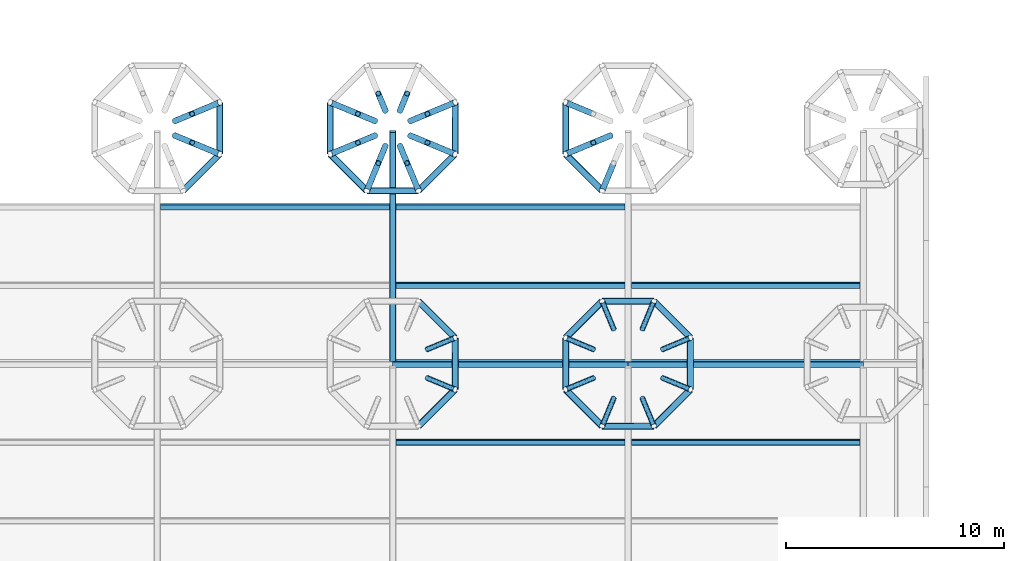
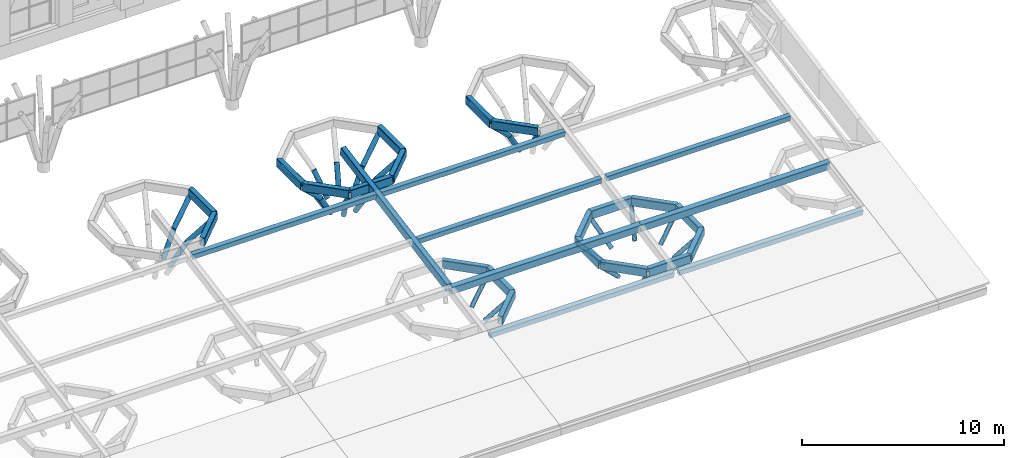
# One storey, part 5 of 42: 32 members, 29 beams.
"""IFC4 building model written with IfcOpenShell, lengths in metres."""

from ifc_helpers import new_model, si_unit, direction, frame, origin, origin_2d, place, context, subcontext, project, spatial, hollow_rectangle, hollow_circle, extrude, clip, halfspace, material, material_profile, profile_set, type_object, element, save


model = new_model("IFC4")

# Units and contexts
model_context = context("Model", 3, precision=1e-05, world=origin(), true_north=direction((0.0, 1.0)))
body_context = subcontext(model_context, "Body", "Model", "MODEL_VIEW")
ifc_project = project(units=[si_unit("LENGTHUNIT", "METRE"), si_unit("AREAUNIT", "SQUARE_METRE"), si_unit("VOLUMEUNIT", "CUBIC_METRE"), si_unit("PLANEANGLEUNIT", "RADIAN"), si_unit("MASSUNIT", "GRAM", prefix="KILO")], contexts=[model_context])

# Site, building, storey
site_placement = place(None, origin())
site = spatial("IfcSite", under=ifc_project, at=site_placement, CompositionType="ELEMENT")
building_placement = place(site_placement, origin())
building = spatial("IfcBuilding", under=site, at=building_placement, Name="Magnolia Steps Interchange", CompositionType="ELEMENT")
storey_placement = place(building_placement, frame((0.0, 0.0, 12.60009765625)))
storey = spatial("IfcBuildingStorey", under=building, at=storey_placement, Name="L03", CompositionType="ELEMENT", Elevation=12.60009765625)

# Beams
ifc_material_1 = material(Name="Steel Q355B", Category="steel")
ifc_material_profile_1 = material_profile(ifc_material_1, hollow_rectangle(XDim=0.300048828125, YDim=0.5, WallThickness=0.01611328125, InnerFilletRadius=0.01611328125, OuterFilletRadius=0.031982421875, at=origin_2d()), Name="RHS500x300x16")
ifc_profile_set_1 = profile_set([ifc_material_profile_1], Name="Steel Q355B")
beam_type_1 = type_object("IfcBeamType", Name="Ring beam RHS500x300x16", PredefinedType="BEAM", material=ifc_profile_set_1)
beam_1_placement = place(storey_placement, frame((86.786376953125, 71.93603515625, 3.4755859375), z_axis=(0.707106781187, 0.707106781187, 0.0), x_axis=(-0.707106781187, 0.707106781187, 0.0)))
element("IfcBeam", 1, at=beam_1_placement, inside=storey, type_object=beam_type_1, Name="Ring beam TH04D", PredefinedType="BEAM", context=body_context, shape_type="Clipping", body=[
    clip(clip(extrude(hollow_rectangle(XDim=0.300048828125, YDim=0.5, WallThickness=0.01611328125, InnerFilletRadius=0.01611328125, OuterFilletRadius=0.031982421875, at=origin_2d()), origin(), (0.0, 0.0, 1.0), 2.37255859375), halfspace(frame((0.0, 0.0, 0.0), z_axis=(0.382683433, 0.0, -0.923879532), x_axis=(0.923879532, 0.0, 0.382683433)), False)), halfspace(frame((0.0, 0.0, 2.372674707), z_axis=(0.382683433, 0.0, 0.923879532), x_axis=(0.923879532, 0.0, -0.382683433)), False)),
])
beam_2_placement = place(storey_placement, frame((88.464111328125, 73.61376953125, 3.4755859375), z_axis=(0.0, 1.0, 0.0), x_axis=(-1.0, 0.0, 0.0)))
element("IfcBeam", 2, at=beam_2_placement, inside=storey, type_object=beam_type_1, Name="Ring beam TH04D", PredefinedType="BEAM", context=body_context, shape_type="Clipping", body=[
    clip(clip(extrude(hollow_rectangle(XDim=0.300048828125, YDim=0.5, WallThickness=0.01611328125, InnerFilletRadius=0.01611328125, OuterFilletRadius=0.031982421875, at=origin_2d()), origin(), (0.0, 0.0, 1.0), 2.37255859375), halfspace(frame((0.0, 0.0, 0.0), z_axis=(0.382683432, 0.0, -0.923879533), x_axis=(0.923879533, 0.0, 0.382683432)), False)), halfspace(frame((0.0, 0.0, 2.372558594), z_axis=(0.382683432, 0.0, 0.923879533), x_axis=(0.923879533, 0.0, -0.382683432)), False)),
])
for number, where, z_axis, x_axis, name in (
    (3, (99.263916015625, 65.186279296875, 1.5), (-0.707106781187, 0.707106781187, 0.0), (-0.707106781187, -0.707106781187, 0.0), "Ring beam TH05C"),
    (4, (97.586181640625, 61.135986328125, 1.5), (0.707106781187, 0.707106781187, 0.0), (-0.707106781187, 0.707106781187, 0.0), "Ring beam TH05C"),
):
    element("IfcBeam", number, at=place(storey_placement, frame(where, z_axis=z_axis, x_axis=x_axis)), inside=storey, type_object=beam_type_1, Name=name, PredefinedType="BEAM", context=body_context, shape_type="Clipping", body=[
        clip(clip(extrude(hollow_rectangle(XDim=0.300048828125, YDim=0.5, WallThickness=0.01611328125, InnerFilletRadius=0.01611328125, OuterFilletRadius=0.031982421875, at=origin_2d()), origin(), (0.0, 0.0, 1.0), 2.37255859375), halfspace(frame((0.0, 0.0, 0.0), z_axis=(0.382683433, 0.0, -0.923879532), x_axis=(0.923879532, 0.0, 0.382683433)), False)), halfspace(frame((0.0, 0.0, 2.372674707), z_axis=(0.382683433, 0.0, 0.923879532), x_axis=(0.923879532, 0.0, -0.382683433)), False)),
    ])
for number, where, z_axis, x_axis, name in (
    (5, (99.263916015625, 62.813720703125, 1.5), (0.0, 1.0, 0.0), (-1.0, 0.0, 0.0), "Ring beam TH05C"),
    (6, (93.535888671875, 75.986328125, 3.4755859375), (0.0, -1.0, 0.0), (1.0, 0.0, 0.0), "Ring beam TH05D"),
):
    element("IfcBeam", number, at=place(storey_placement, frame(where, z_axis=z_axis, x_axis=x_axis)), inside=storey, type_object=beam_type_1, Name=name, PredefinedType="BEAM", context=body_context, shape_type="Clipping", body=[
        clip(clip(extrude(hollow_rectangle(XDim=0.300048828125, YDim=0.5, WallThickness=0.01611328125, InnerFilletRadius=0.01611328125, OuterFilletRadius=0.031982421875, at=origin_2d()), origin(), (0.0, 0.0, 1.0), 2.37255859375), halfspace(frame((0.0, 0.0, 0.0), z_axis=(0.382683432, 0.0, -0.923879533), x_axis=(0.923879533, 0.0, 0.382683432)), False)), halfspace(frame((0.0, 0.0, 2.372558594), z_axis=(0.382683432, 0.0, 0.923879533), x_axis=(0.923879533, 0.0, -0.382683432)), False)),
    ])
beam_3_placement = place(storey_placement, frame((93.535888671875, 73.61376953125, 3.4755859375), z_axis=(0.707106781187, -0.707106781187, 0.0), x_axis=(0.707106781187, 0.707106781187, 0.0)))
element("IfcBeam", 7, at=beam_3_placement, inside=storey, type_object=beam_type_1, Name="Ring beam TH05D", PredefinedType="BEAM", context=body_context, shape_type="Clipping", body=[
    clip(clip(extrude(hollow_rectangle(XDim=0.300048828125, YDim=0.5, WallThickness=0.01611328125, InnerFilletRadius=0.01611328125, OuterFilletRadius=0.031982421875, at=origin_2d()), origin(), (0.0, 0.0, 1.0), 2.37255859375), halfspace(frame((0.0, 0.0, 0.0), z_axis=(0.382683433, 0.0, -0.923879532), x_axis=(0.923879532, 0.0, 0.382683433)), False)), halfspace(frame((0.0, 0.0, 2.372674707), z_axis=(0.382683433, 0.0, 0.923879532), x_axis=(0.923879532, 0.0, -0.382683433)), False)),
])
beam_4_placement = place(storey_placement, frame((95.213623046875, 71.93603515625, 3.4755859375), z_axis=(1.0, 0.0, 0.0), x_axis=(0.0, 1.0, 0.0)))
element("IfcBeam", 8, at=beam_4_placement, inside=storey, type_object=beam_type_1, Name="Ring beam TH05D", PredefinedType="BEAM", context=body_context, shape_type="Clipping", body=[
    clip(clip(extrude(hollow_rectangle(XDim=0.300048828125, YDim=0.5, WallThickness=0.01611328125, InnerFilletRadius=0.01611328125, OuterFilletRadius=0.031982421875, at=origin_2d()), origin(), (0.0, 0.0, 1.0), 2.37255859375), halfspace(frame((0.0, 0.0, 0.0), z_axis=(0.382683432, 0.0, -0.923879533), x_axis=(0.923879533, 0.0, 0.382683432)), False)), halfspace(frame((0.0, 0.0, 2.372558594), z_axis=(0.382683432, 0.0, 0.923879533), x_axis=(0.923879533, 0.0, -0.382683432)), False)),
])
beam_5_placement = place(storey_placement, frame((97.586181640625, 71.93603515625, 3.4755859375), z_axis=(0.707106781187, 0.707106781187, 0.0), x_axis=(-0.707106781187, 0.707106781187, 0.0)))
element("IfcBeam", 9, at=beam_5_placement, inside=storey, type_object=beam_type_1, Name="Ring beam TH05D", PredefinedType="BEAM", context=body_context, shape_type="Clipping", body=[
    clip(clip(extrude(hollow_rectangle(XDim=0.300048828125, YDim=0.5, WallThickness=0.01611328125, InnerFilletRadius=0.01611328125, OuterFilletRadius=0.031982421875, at=origin_2d()), origin(), (0.0, 0.0, 1.0), 2.37255859375), halfspace(frame((0.0, 0.0, 0.0), z_axis=(0.382683433, 0.0, -0.923879532), x_axis=(0.923879532, 0.0, 0.382683433)), False)), halfspace(frame((0.0, 0.0, 2.372674707), z_axis=(0.382683433, 0.0, 0.923879532), x_axis=(0.923879532, 0.0, -0.382683433)), False)),
])
beam_6_placement = place(storey_placement, frame((99.263916015625, 73.61376953125, 3.4755859375), z_axis=(0.0, 1.0, 0.0), x_axis=(-1.0, 0.0, 0.0)))
element("IfcBeam", 10, at=beam_6_placement, inside=storey, type_object=beam_type_1, Name="Ring beam TH05D", PredefinedType="BEAM", context=body_context, shape_type="Clipping", body=[
    clip(clip(extrude(hollow_rectangle(XDim=0.300048828125, YDim=0.5, WallThickness=0.01611328125, InnerFilletRadius=0.01611328125, OuterFilletRadius=0.031982421875, at=origin_2d()), origin(), (0.0, 0.0, 1.0), 2.37255859375), halfspace(frame((0.0, 0.0, 0.0), z_axis=(0.382683432, 0.0, -0.923879533), x_axis=(0.923879533, 0.0, 0.382683432)), False)), halfspace(frame((0.0, 0.0, 2.372558594), z_axis=(0.382683432, 0.0, 0.923879533), x_axis=(0.923879533, 0.0, -0.382683432)), False)),
])
beam_7_placement = place(storey_placement, frame((110.06396484375, 65.186279296875, 1.5), z_axis=(-0.707106781187, 0.707106781187, 0.0), x_axis=(-0.707106781187, -0.707106781187, 0.0)))
element("IfcBeam", 11, at=beam_7_placement, inside=storey, type_object=beam_type_1, Name="Ring beam TH06C", PredefinedType="BEAM", context=body_context, shape_type="Clipping", body=[
    clip(clip(extrude(hollow_rectangle(XDim=0.300048828125, YDim=0.5, WallThickness=0.01611328125, InnerFilletRadius=0.01611328125, OuterFilletRadius=0.031982421875, at=origin_2d()), origin(), (0.0, 0.0, 1.0), 2.37255859375), halfspace(frame((0.0, 0.0, 0.0), z_axis=(0.382683433, 0.0, -0.923879532), x_axis=(0.923879532, 0.0, 0.382683433)), False)), halfspace(frame((0.0, 0.0, 2.372674707), z_axis=(0.382683433, 0.0, 0.923879532), x_axis=(0.923879532, 0.0, -0.382683433)), False)),
])
beam_8_placement = place(storey_placement, frame((108.38623046875, 66.864013671875, 1.5), z_axis=(-1.0, 0.0, 0.0), x_axis=(0.0, -1.0, 0.0)))
element("IfcBeam", 12, at=beam_8_placement, inside=storey, type_object=beam_type_1, Name="Ring beam TH06C", PredefinedType="BEAM", context=body_context, shape_type="Clipping", body=[
    clip(clip(extrude(hollow_rectangle(XDim=0.300048828125, YDim=0.5, WallThickness=0.01611328125, InnerFilletRadius=0.01611328125, OuterFilletRadius=0.031982421875, at=origin_2d()), origin(), (0.0, 0.0, 1.0), 2.37255859375), halfspace(frame((0.0, 0.0, 0.0), z_axis=(0.382683432, 0.0, -0.923879533), x_axis=(0.923879533, 0.0, 0.382683432)), False)), halfspace(frame((0.0, 0.0, 2.372558594), z_axis=(0.382683432, 0.0, 0.923879533), x_axis=(0.923879533, 0.0, -0.382683432)), False)),
])
beam_9_placement = place(storey_placement, frame((106.013671875, 66.864013671875, 1.5), z_axis=(-0.707106781187, -0.707106781187, 0.0), x_axis=(0.707106781187, -0.707106781187, 0.0)))
element("IfcBeam", 13, at=beam_9_placement, inside=storey, type_object=beam_type_1, Name="Ring beam TH06C", PredefinedType="BEAM", context=body_context, shape_type="Clipping", body=[
    clip(clip(extrude(hollow_rectangle(XDim=0.300048828125, YDim=0.5, WallThickness=0.01611328125, InnerFilletRadius=0.01611328125, OuterFilletRadius=0.031982421875, at=origin_2d()), origin(), (0.0, 0.0, 1.0), 2.37255859375), halfspace(frame((0.0, 0.0, 0.0), z_axis=(0.382683433, 0.0, -0.923879532), x_axis=(0.923879532, 0.0, 0.382683433)), False)), halfspace(frame((0.0, 0.0, 2.372674707), z_axis=(0.382683433, 0.0, 0.923879532), x_axis=(0.923879532, 0.0, -0.382683433)), False)),
])
beam_10_placement = place(storey_placement, frame((104.3359375, 65.186279296875, 1.5), z_axis=(0.0, -1.0, 0.0), x_axis=(1.0, 0.0, 0.0)))
element("IfcBeam", 14, at=beam_10_placement, inside=storey, type_object=beam_type_1, Name="Ring beam TH06C", PredefinedType="BEAM", context=body_context, shape_type="Clipping", body=[
    clip(clip(extrude(hollow_rectangle(XDim=0.300048828125, YDim=0.5, WallThickness=0.01611328125, InnerFilletRadius=0.01611328125, OuterFilletRadius=0.031982421875, at=origin_2d()), origin(), (0.0, 0.0, 1.0), 2.37255859375), halfspace(frame((0.0, 0.0, 0.0), z_axis=(0.382683432, 0.0, -0.923879533), x_axis=(0.923879533, 0.0, 0.382683432)), False)), halfspace(frame((0.0, 0.0, 2.372558594), z_axis=(0.382683432, 0.0, 0.923879533), x_axis=(0.923879533, 0.0, -0.382683432)), False)),
])
beam_11_placement = place(storey_placement, frame((104.3359375, 62.813720703125, 1.5), z_axis=(0.707106781187, -0.707106781187, 0.0), x_axis=(0.707106781187, 0.707106781187, 0.0)))
element("IfcBeam", 15, at=beam_11_placement, inside=storey, type_object=beam_type_1, Name="Ring beam TH06C", PredefinedType="BEAM", context=body_context, shape_type="Clipping", body=[
    clip(clip(extrude(hollow_rectangle(XDim=0.300048828125, YDim=0.5, WallThickness=0.01611328125, InnerFilletRadius=0.01611328125, OuterFilletRadius=0.031982421875, at=origin_2d()), origin(), (0.0, 0.0, 1.0), 2.37255859375), halfspace(frame((0.0, 0.0, 0.0), z_axis=(0.382683433, 0.0, -0.923879532), x_axis=(0.923879532, 0.0, 0.382683433)), False)), halfspace(frame((0.0, 0.0, 2.372674707), z_axis=(0.382683433, 0.0, 0.923879532), x_axis=(0.923879532, 0.0, -0.382683433)), False)),
])
beam_12_placement = place(storey_placement, frame((106.013671875, 61.135986328125, 1.5), z_axis=(1.0, 0.0, 0.0), x_axis=(0.0, 1.0, 0.0)))
element("IfcBeam", 16, at=beam_12_placement, inside=storey, type_object=beam_type_1, Name="Ring beam TH06C", PredefinedType="BEAM", context=body_context, shape_type="Clipping", body=[
    clip(clip(extrude(hollow_rectangle(XDim=0.300048828125, YDim=0.5, WallThickness=0.01611328125, InnerFilletRadius=0.01611328125, OuterFilletRadius=0.031982421875, at=origin_2d()), origin(), (0.0, 0.0, 1.0), 2.37255859375), halfspace(frame((0.0, 0.0, 0.0), z_axis=(0.382683432, 0.0, -0.923879533), x_axis=(0.923879533, 0.0, 0.382683432)), False)), halfspace(frame((0.0, 0.0, 2.372558594), z_axis=(0.382683432, 0.0, 0.923879533), x_axis=(0.923879533, 0.0, -0.382683432)), False)),
])
beam_13_placement = place(storey_placement, frame((108.38623046875, 61.135986328125, 1.5), z_axis=(0.707106781187, 0.707106781187, 0.0), x_axis=(-0.707106781187, 0.707106781187, 0.0)))
element("IfcBeam", 17, at=beam_13_placement, inside=storey, type_object=beam_type_1, Name="Ring beam TH06C", PredefinedType="BEAM", context=body_context, shape_type="Clipping", body=[
    clip(clip(extrude(hollow_rectangle(XDim=0.300048828125, YDim=0.5, WallThickness=0.01611328125, InnerFilletRadius=0.01611328125, OuterFilletRadius=0.031982421875, at=origin_2d()), origin(), (0.0, 0.0, 1.0), 2.37255859375), halfspace(frame((0.0, 0.0, 0.0), z_axis=(0.382683433, 0.0, -0.923879532), x_axis=(0.923879532, 0.0, 0.382683433)), False)), halfspace(frame((0.0, 0.0, 2.372674707), z_axis=(0.382683433, 0.0, 0.923879532), x_axis=(0.923879532, 0.0, -0.382683433)), False)),
])
for number, where, z_axis, x_axis, name in (
    (18, (110.06396484375, 62.813720703125, 1.5), (0.0, 1.0, 0.0), (-1.0, 0.0, 0.0), "Ring beam TH06C"),
    (19, (104.3359375, 75.986328125, 3.4755859375), (0.0, -1.0, 0.0), (1.0, 0.0, 0.0), "Ring beam TH06D"),
):
    element("IfcBeam", number, at=place(storey_placement, frame(where, z_axis=z_axis, x_axis=x_axis)), inside=storey, type_object=beam_type_1, Name=name, PredefinedType="BEAM", context=body_context, shape_type="Clipping", body=[
        clip(clip(extrude(hollow_rectangle(XDim=0.300048828125, YDim=0.5, WallThickness=0.01611328125, InnerFilletRadius=0.01611328125, OuterFilletRadius=0.031982421875, at=origin_2d()), origin(), (0.0, 0.0, 1.0), 2.37255859375), halfspace(frame((0.0, 0.0, 0.0), z_axis=(0.382683432, 0.0, -0.923879533), x_axis=(0.923879533, 0.0, 0.382683432)), False)), halfspace(frame((0.0, 0.0, 2.372558594), z_axis=(0.382683432, 0.0, 0.923879533), x_axis=(0.923879533, 0.0, -0.382683432)), False)),
    ])
beam_14_placement = place(storey_placement, frame((104.3359375, 73.61376953125, 3.4755859375), z_axis=(0.707106781187, -0.707106781187, 0.0), x_axis=(0.707106781187, 0.707106781187, 0.0)))
element("IfcBeam", 20, at=beam_14_placement, inside=storey, type_object=beam_type_1, Name="Ring beam TH06D", PredefinedType="BEAM", context=body_context, shape_type="Clipping", body=[
    clip(clip(extrude(hollow_rectangle(XDim=0.300048828125, YDim=0.5, WallThickness=0.01611328125, InnerFilletRadius=0.01611328125, OuterFilletRadius=0.031982421875, at=origin_2d()), origin(), (0.0, 0.0, 1.0), 2.37255859375), halfspace(frame((0.0, 0.0, 0.0), z_axis=(0.382683433, 0.0, -0.923879532), x_axis=(0.923879532, 0.0, 0.382683433)), False)), halfspace(frame((0.0, 0.0, 2.372674707), z_axis=(0.382683433, 0.0, 0.923879532), x_axis=(0.923879532, 0.0, -0.382683433)), False)),
])
ifc_material_2 = material(Name="Steel Q355B", Category="steel")
ifc_material_profile_2 = material_profile(ifc_material_2, hollow_rectangle(XDim=0.300048828125, YDim=0.5, WallThickness=0.01611328125, InnerFilletRadius=0.01611328125, OuterFilletRadius=0.031982421875, at=origin_2d()), Name="RHS500x300x16")
ifc_profile_set_2 = profile_set([ifc_material_profile_2], Name="Steel Q355B")
beam_type_2 = type_object("IfcBeamType", Name="Roof beam RHS500x300x16", PredefinedType="BEAM", material=ifc_profile_set_2)
for number, where, z_axis, x_axis, name in (
    (21, (96.39990234375, 64.0, 2.044189453125), (1.0, 0.0, 0.0), (0.0, 0.98367737698, 0.17994115154), "Roof beam"),
    (22, (107.199951171875, 64.0, 2.044189453125), (1.0, 0.0, 0.0), (0.0, 0.98367737698, 0.17994115154), "Roof beam"),
):
    element("IfcBeam", number, at=place(storey_placement, frame(where, z_axis=z_axis, x_axis=x_axis)), inside=storey, type_object=beam_type_2, Name=name, PredefinedType="BEAM", context=body_context, shape_type="SweptSolid", body=[
        extrude(hollow_rectangle(XDim=0.300048828125, YDim=0.5, WallThickness=0.01611328125, InnerFilletRadius=0.01611328125, OuterFilletRadius=0.031982421875, at=origin_2d()), origin(), (0.0, 0.0, 1.0), 10.800048828125),
    ])
beam_15_placement = place(storey_placement, frame((96.39990234375, 64.14990234375, 2.071533203125), z_axis=(0.0, 0.983678690331, 0.179933971746), x_axis=(-1.0, 0.0, 0.0)))
element("IfcBeam", 23, at=beam_15_placement, inside=storey, type_object=beam_type_2, Name="Roof beam", PredefinedType="BEAM", context=body_context, shape_type="SweptSolid", body=[
    extrude(hollow_rectangle(XDim=0.300048828125, YDim=0.5, WallThickness=0.01611328125, InnerFilletRadius=0.01611328125, OuterFilletRadius=0.031982421875, at=origin_2d()), origin(), (0.0, 0.0, 1.0), 10.67431640625),
])
ifc_material_3 = material(Name="Steel Q355B", Category="steel")
ifc_material_profile_3 = material_profile(ifc_material_3, hollow_rectangle(XDim=0.25, YDim=0.35009765625, WallThickness=0.011962890625, InnerFilletRadius=0.011962890625, OuterFilletRadius=0.02392578125, at=origin_2d()), Name="RHS350x250x12")
ifc_profile_set_3 = profile_set([ifc_material_profile_3], Name="Steel Q355B")
beam_type_3 = type_object("IfcBeamType", Name="Roof joist RHS350x250x12", PredefinedType="BEAM", material=ifc_profile_set_3)
for number, where, z_axis, x_axis, name in (
    (24, (96.550048828125, 60.39990234375, 1.4619140625), (1.0, 0.0, 0.0), (0.0, 0.98367737698, 0.17994115154), "Roof joist"),
    (25, (107.35009765625, 60.39990234375, 1.4619140625), (1.0, 0.0, 0.0), (0.0, 0.98367737698, 0.17994115154), "Roof joist"),
    (26, (96.550048828125, 67.60009765625, 2.77880859375), (1.0, 0.0, 0.0), (0.0, 0.98367737698, 0.17994115154), "Roof joist"),
    (27, (107.35009765625, 67.60009765625, 2.77880859375), (1.0, 0.0, 0.0), (0.0, 0.98367737698, 0.17994115154), "Roof joist"),
    (28, (85.75, 71.199951171875, 3.4375), (1.0, 0.0, 0.0), (0.0, 0.98367737698, 0.17994115154), "Roof joist"),
    (29, (96.550048828125, 71.199951171875, 3.4375), (1.0, 0.0, 0.0), (0.0, 0.98367737698, 0.17994115154), "Roof joist"),
):
    element("IfcBeam", number, at=place(storey_placement, frame(where, z_axis=z_axis, x_axis=x_axis)), inside=storey, type_object=beam_type_3, Name=name, PredefinedType="BEAM", context=body_context, shape_type="SweptSolid", body=[
        extrude(hollow_rectangle(XDim=0.25, YDim=0.35009765625, WallThickness=0.011962890625, InnerFilletRadius=0.011962890625, OuterFilletRadius=0.02392578125, at=origin_2d()), origin(), (0.0, 0.0, 1.0), 10.5),
    ])

# Members
ifc_material_4 = material(Name="Steel Q355B", Category="steel")
ifc_material_profile_4 = material_profile(ifc_material_4, hollow_circle(Radius=0.12255859375, WallThickness=0.011962890625, at=origin_2d()), Name="CHS245x12")
ifc_profile_set_4 = profile_set([ifc_material_profile_4], Name="Steel Q355B")
member_type_1 = type_object("IfcMemberType", Name="Tree rib CHS245x12", PredefinedType="USERDEFINED", material=ifc_profile_set_4)
for number, where, z_axis, x_axis, name in (
    (30, (97.98291015625, 64.65576171875, 0.010986328125), (0.664618271493, 0.27524595082, 0.694638193418), (-0.382626535499, 0.923903097912, 0.0), "Tree rib TH05C"),
    (31, (97.98291015625, 63.34423828125, 0.010986328125), (0.664618271493, -0.27524595082, 0.694638193418), (0.382626535499, 0.923903097912, 0.0), "Tree rib TH05C"),
    (32, (108.782958984375, 64.65576171875, 0.010986328125), (0.664618271493, 0.27524595082, 0.694638193418), (-0.382626535499, 0.923903097912, 0.0), "Tree rib TH06C"),
    (33, (107.855712890625, 65.5830078125, 0.010986328125), (0.27524595082, 0.664618271493, 0.694638193418), (-0.923903097912, 0.382626535499, 0.0), "Tree rib TH06C"),
    (34, (106.544189453125, 65.5830078125, 0.010986328125), (-0.27524595082, 0.664618271493, 0.694638193418), (-0.923903097912, -0.382626535499, 0.0), "Tree rib TH06C"),
    (35, (105.616943359375, 64.65576171875, 0.010986328125), (-0.664618271493, 0.27524595082, 0.694638193418), (-0.382626535499, -0.923903097912, 0.0), "Tree rib TH06C"),
    (36, (105.616943359375, 63.34423828125, 0.010986328125), (-0.664618271493, -0.27524595082, 0.694638193418), (0.382626535499, -0.923903097912, 0.0), "Tree rib TH06C"),
    (37, (106.544189453125, 62.4169921875, 0.010986328125), (-0.27524595082, -0.664618271493, 0.694638193418), (0.923903097912, -0.382626535499, 0.0), "Tree rib TH06C"),
    (38, (107.855712890625, 62.4169921875, 0.010986328125), (0.27524595082, -0.664618271493, 0.694638193418), (0.923903097912, 0.382626535499, 0.0), "Tree rib TH06C"),
    (39, (108.782958984375, 63.34423828125, 0.010986328125), (0.664618271493, -0.27524595082, 0.694638193418), (0.382626535499, 0.923903097912, 0.0), "Tree rib TH06C"),
):
    element("IfcMember", number, at=place(storey_placement, frame(where, z_axis=z_axis, x_axis=x_axis)), inside=storey, type_object=member_type_1, Name=name, ObjectType="TREE RIB", PredefinedType="USERDEFINED", context=body_context, shape_type="SweptSolid", body=[
        extrude(hollow_circle(Radius=0.12255859375, WallThickness=0.011962890625, at=origin_2d()), origin(), (0.0, 0.0, 1.0), 1.927490234375),
    ])
ifc_material_5 = material(Name="Steel Q355B", Category="steel")
ifc_material_profile_5 = material_profile(ifc_material_5, hollow_circle(Radius=0.136474609375, WallThickness=0.013916015625, at=origin_2d()), Name="CHS273x14")
ifc_profile_set_5 = profile_set([ifc_material_profile_5], Name="Steel Q355B")
member_type_2 = type_object("IfcMemberType", Name="Tree rib CHS273x14", PredefinedType="USERDEFINED", material=ifc_profile_set_5)
member_1_placement = place(storey_placement, frame((86.4033203125, 75.1328125, 0.62646484375), z_axis=(0.489471389954, 0.202690584818, 0.848135770524), x_axis=(-0.382594650918, 0.923916301993, 0.0)))
element("IfcMember", 40, at=member_1_placement, inside=storey, type_object=member_type_2, Name="Tree rib TH04D", ObjectType="TREE RIB", PredefinedType="USERDEFINED", context=body_context, shape_type="SweptSolid", body=[
    extrude(hollow_circle(Radius=0.136474609375, WallThickness=0.013916015625, at=origin_2d()), origin(), (0.0, 0.0, 1.0), 1.6201171875),
])
member_2_placement = place(storey_placement, frame((87.1962890625, 75.461181640625, 2.00048828125), z_axis=(0.664642897689, 0.275302690724, 0.694592144378), x_axis=(-0.382681757498, 0.923880226262, 0.0)))
element("IfcMember", 41, at=member_2_placement, inside=storey, type_object=member_type_2, Name="Tree rib TH04D", ObjectType="TREE RIB", PredefinedType="USERDEFINED", context=body_context, shape_type="SweptSolid", body=[
    extrude(hollow_circle(Radius=0.136474609375, WallThickness=0.013916015625, at=origin_2d()), origin(), (0.0, 0.0, 1.0), 1.907470703125),
])
member_3_placement = place(storey_placement, frame((86.4033203125, 74.46728515625, 0.62646484375), z_axis=(0.489456434015, -0.202835086264, 0.848109855491), x_axis=(0.38283742983, 0.923815729635, 0.0)))
element("IfcMember", 42, at=member_3_placement, inside=storey, type_object=member_type_2, Name="Tree rib TH04D", ObjectType="TREE RIB", PredefinedType="USERDEFINED", context=body_context, shape_type="SweptSolid", body=[
    extrude(hollow_circle(Radius=0.136474609375, WallThickness=0.013916015625, at=origin_2d()), origin(), (0.0, 0.0, 1.0), 1.6201171875),
])
member_4_placement = place(storey_placement, frame((87.1962890625, 74.138671875, 2.00048828125), z_axis=(0.66466631251, -0.275184396668, 0.694616614287), x_axis=(0.382529887132, 0.923943118082, 0.0)))
element("IfcMember", 43, at=member_4_placement, inside=storey, type_object=member_type_2, Name="Tree rib TH04D", ObjectType="TREE RIB", PredefinedType="USERDEFINED", context=body_context, shape_type="SweptSolid", body=[
    extrude(hollow_circle(Radius=0.136474609375, WallThickness=0.013916015625, at=origin_2d()), origin(), (0.0, 0.0, 1.0), 1.907470703125),
])
member_5_placement = place(storey_placement, frame((97.203125, 75.1328125, 0.62646484375), z_axis=(0.489585971714, 0.202675633104, 0.848073206773), x_axis=(-0.382494123671, 0.923957924019, 0.0)))
element("IfcMember", 44, at=member_5_placement, inside=storey, type_object=member_type_2, Name="Tree rib TH05D", ObjectType="TREE RIB", PredefinedType="USERDEFINED", context=body_context, shape_type="SweptSolid", body=[
    extrude(hollow_circle(Radius=0.136474609375, WallThickness=0.013916015625, at=origin_2d()), origin(), (0.0, 0.0, 1.0), 1.6201171875),
])
member_6_placement = place(storey_placement, frame((97.996337890625, 75.461181640625, 2.00048828125), z_axis=(0.664571439163, 0.275326110485, 0.694651232731), x_axis=(-0.382744666971, 0.923854165929, 0.0)))
element("IfcMember", 45, at=member_6_placement, inside=storey, type_object=member_type_2, Name="Tree rib TH05D", ObjectType="TREE RIB", PredefinedType="USERDEFINED", context=body_context, shape_type="SweptSolid", body=[
    extrude(hollow_circle(Radius=0.136474609375, WallThickness=0.013916015625, at=origin_2d()), origin(), (0.0, 0.0, 1.0), 1.907470703125),
])
for number, where, z_axis, x_axis, name in (
    (46, (96.732666015625, 75.603271484375, 0.62646484375), (0.202820124805, 0.489571014481, 0.848047297475), (-0.923857399968, 0.382736860682, 0.0), "Tree rib TH05D"),
    (47, (96.0673828125, 75.603271484375, 0.62646484375), (-0.202820124805, 0.489571014481, 0.848047297475), (-0.923857399968, -0.382736860682, 0.0), "Tree rib TH05D"),
    (48, (95.5966796875, 75.1328125, 0.62646484375), (-0.489471389954, 0.202690584818, 0.848135770524), (-0.382594650918, -0.923916301993, 0.0), "Tree rib TH05D"),
):
    element("IfcMember", number, at=place(storey_placement, frame(where, z_axis=z_axis, x_axis=x_axis)), inside=storey, type_object=member_type_2, Name=name, ObjectType="TREE RIB", PredefinedType="USERDEFINED", context=body_context, shape_type="SweptSolid", body=[
        extrude(hollow_circle(Radius=0.136474609375, WallThickness=0.013916015625, at=origin_2d()), origin(), (0.0, 0.0, 1.0), 1.6201171875),
    ])
member_7_placement = place(storey_placement, frame((94.8037109375, 75.461181640625, 2.00048828125), z_axis=(-0.664642897689, 0.275302690724, 0.694592144378), x_axis=(-0.382681757498, -0.923880226262, 0.0)))
element("IfcMember", 49, at=member_7_placement, inside=storey, type_object=member_type_2, Name="Tree rib TH05D", ObjectType="TREE RIB", PredefinedType="USERDEFINED", context=body_context, shape_type="SweptSolid", body=[
    extrude(hollow_circle(Radius=0.136474609375, WallThickness=0.013916015625, at=origin_2d()), origin(), (0.0, 0.0, 1.0), 1.907470703125),
])
member_8_placement = place(storey_placement, frame((95.5966796875, 74.46728515625, 0.62646484375), z_axis=(-0.489456434015, -0.202835086264, 0.848109855491), x_axis=(0.38283742983, -0.923815729635, 0.0)))
element("IfcMember", 50, at=member_8_placement, inside=storey, type_object=member_type_2, Name="Tree rib TH05D", ObjectType="TREE RIB", PredefinedType="USERDEFINED", context=body_context, shape_type="SweptSolid", body=[
    extrude(hollow_circle(Radius=0.136474609375, WallThickness=0.013916015625, at=origin_2d()), origin(), (0.0, 0.0, 1.0), 1.6201171875),
])
member_9_placement = place(storey_placement, frame((94.8037109375, 74.138671875, 2.00048828125), z_axis=(-0.66466631251, -0.275184396668, 0.694616614287), x_axis=(0.382529887132, -0.923943118082, 0.0)))
element("IfcMember", 51, at=member_9_placement, inside=storey, type_object=member_type_2, Name="Tree rib TH05D", ObjectType="TREE RIB", PredefinedType="USERDEFINED", context=body_context, shape_type="SweptSolid", body=[
    extrude(hollow_circle(Radius=0.136474609375, WallThickness=0.013916015625, at=origin_2d()), origin(), (0.0, 0.0, 1.0), 1.907470703125),
])
member_10_placement = place(storey_placement, frame((96.0673828125, 73.996826171875, 0.62646484375), z_axis=(-0.202820124805, -0.489571014481, 0.848047297475), x_axis=(0.923857399968, -0.382736860682, 0.0)))
element("IfcMember", 52, at=member_10_placement, inside=storey, type_object=member_type_2, Name="Tree rib TH05D", ObjectType="TREE RIB", PredefinedType="USERDEFINED", context=body_context, shape_type="SweptSolid", body=[
    extrude(hollow_circle(Radius=0.136474609375, WallThickness=0.013916015625, at=origin_2d()), origin(), (0.0, 0.0, 1.0), 1.6201171875),
])
member_11_placement = place(storey_placement, frame((95.73876953125, 73.20361328125, 2.00048828125), z_axis=(-0.275326110485, -0.664571439163, 0.694651232731), x_axis=(0.923854165929, -0.382744666971, 0.0)))
element("IfcMember", 53, at=member_11_placement, inside=storey, type_object=member_type_2, Name="Tree rib TH05D", ObjectType="TREE RIB", PredefinedType="USERDEFINED", context=body_context, shape_type="SweptSolid", body=[
    extrude(hollow_circle(Radius=0.136474609375, WallThickness=0.013916015625, at=origin_2d()), origin(), (0.0, 0.0, 1.0), 1.907470703125),
])
member_12_placement = place(storey_placement, frame((96.732666015625, 73.996826171875, 0.62646484375), z_axis=(0.202820124805, -0.489571014481, 0.848047297475), x_axis=(0.923857399968, 0.382736860682, 0.0)))
element("IfcMember", 54, at=member_12_placement, inside=storey, type_object=member_type_2, Name="Tree rib TH05D", ObjectType="TREE RIB", PredefinedType="USERDEFINED", context=body_context, shape_type="SweptSolid", body=[
    extrude(hollow_circle(Radius=0.136474609375, WallThickness=0.013916015625, at=origin_2d()), origin(), (0.0, 0.0, 1.0), 1.6201171875),
])
member_13_placement = place(storey_placement, frame((97.061279296875, 73.20361328125, 2.00048828125), z_axis=(0.275207808016, -0.664594855451, 0.694675708885), x_axis=(0.923917076656, 0.382592780202, 0.0)))
element("IfcMember", 55, at=member_13_placement, inside=storey, type_object=member_type_2, Name="Tree rib TH05D", ObjectType="TREE RIB", PredefinedType="USERDEFINED", context=body_context, shape_type="SweptSolid", body=[
    extrude(hollow_circle(Radius=0.136474609375, WallThickness=0.013916015625, at=origin_2d()), origin(), (0.0, 0.0, 1.0), 1.9072265625),
])
member_14_placement = place(storey_placement, frame((97.203125, 74.46728515625, 0.62646484375), z_axis=(0.489571014481, -0.202820124805, 0.848047297475), x_axis=(0.382736860682, 0.923857399968, 0.0)))
element("IfcMember", 56, at=member_14_placement, inside=storey, type_object=member_type_2, Name="Tree rib TH05D", ObjectType="TREE RIB", PredefinedType="USERDEFINED", context=body_context, shape_type="SweptSolid", body=[
    extrude(hollow_circle(Radius=0.136474609375, WallThickness=0.013916015625, at=origin_2d()), origin(), (0.0, 0.0, 1.0), 1.6201171875),
])
member_15_placement = place(storey_placement, frame((97.996337890625, 74.138671875, 2.00048828125), z_axis=(0.664594855451, -0.275207808016, 0.694675708885), x_axis=(0.382592780202, 0.923917076656, 0.0)))
element("IfcMember", 57, at=member_15_placement, inside=storey, type_object=member_type_2, Name="Tree rib TH05D", ObjectType="TREE RIB", PredefinedType="USERDEFINED", context=body_context, shape_type="SweptSolid", body=[
    extrude(hollow_circle(Radius=0.136474609375, WallThickness=0.013916015625, at=origin_2d()), origin(), (0.0, 0.0, 1.0), 1.9072265625),
])
member_16_placement = place(storey_placement, frame((105.603515625, 75.461181640625, 2.00048828125), z_axis=(-0.664571439163, 0.275326110485, 0.694651232731), x_axis=(-0.382744666971, -0.923854165929, 0.0)))
element("IfcMember", 58, at=member_16_placement, inside=storey, type_object=member_type_2, Name="Tree rib TH06D", ObjectType="TREE RIB", PredefinedType="USERDEFINED", context=body_context, shape_type="SweptSolid", body=[
    extrude(hollow_circle(Radius=0.136474609375, WallThickness=0.013916015625, at=origin_2d()), origin(), (0.0, 0.0, 1.0), 1.907470703125),
])
member_17_placement = place(storey_placement, frame((106.396728515625, 74.46728515625, 0.62646484375), z_axis=(-0.489571014481, -0.202820124805, 0.848047297475), x_axis=(0.382736860682, -0.923857399968, 0.0)))
element("IfcMember", 59, at=member_17_placement, inside=storey, type_object=member_type_2, Name="Tree rib TH06D", ObjectType="TREE RIB", PredefinedType="USERDEFINED", context=body_context, shape_type="SweptSolid", body=[
    extrude(hollow_circle(Radius=0.136474609375, WallThickness=0.013916015625, at=origin_2d()), origin(), (0.0, 0.0, 1.0), 1.6201171875),
])
member_18_placement = place(storey_placement, frame((105.603515625, 74.138671875, 2.00048828125), z_axis=(-0.664594855451, -0.275207808016, 0.694675708885), x_axis=(0.382592780202, -0.923917076656, 0.0)))
element("IfcMember", 60, at=member_18_placement, inside=storey, type_object=member_type_2, Name="Tree rib TH06D", ObjectType="TREE RIB", PredefinedType="USERDEFINED", context=body_context, shape_type="SweptSolid", body=[
    extrude(hollow_circle(Radius=0.136474609375, WallThickness=0.013916015625, at=origin_2d()), origin(), (0.0, 0.0, 1.0), 1.9072265625),
])
member_19_placement = place(storey_placement, frame((106.538818359375, 73.20361328125, 2.00048828125), z_axis=(-0.275326110485, -0.664571439163, 0.694651232731), x_axis=(0.923854165929, -0.382744666971, 0.0)))
element("IfcMember", 61, at=member_19_placement, inside=storey, type_object=member_type_2, Name="Tree rib TH06D", ObjectType="TREE RIB", PredefinedType="USERDEFINED", context=body_context, shape_type="SweptSolid", body=[
    extrude(hollow_circle(Radius=0.136474609375, WallThickness=0.013916015625, at=origin_2d()), origin(), (0.0, 0.0, 1.0), 1.907470703125),
])

save(model, "model.ifc")
